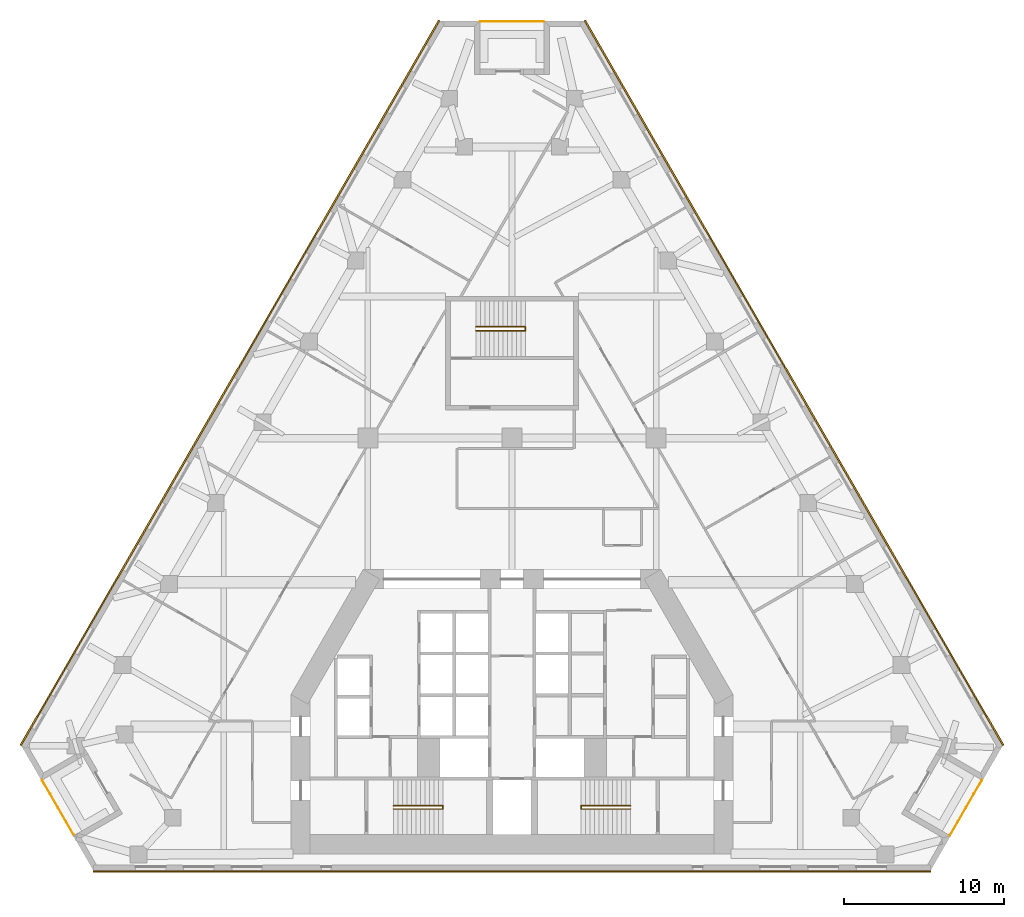
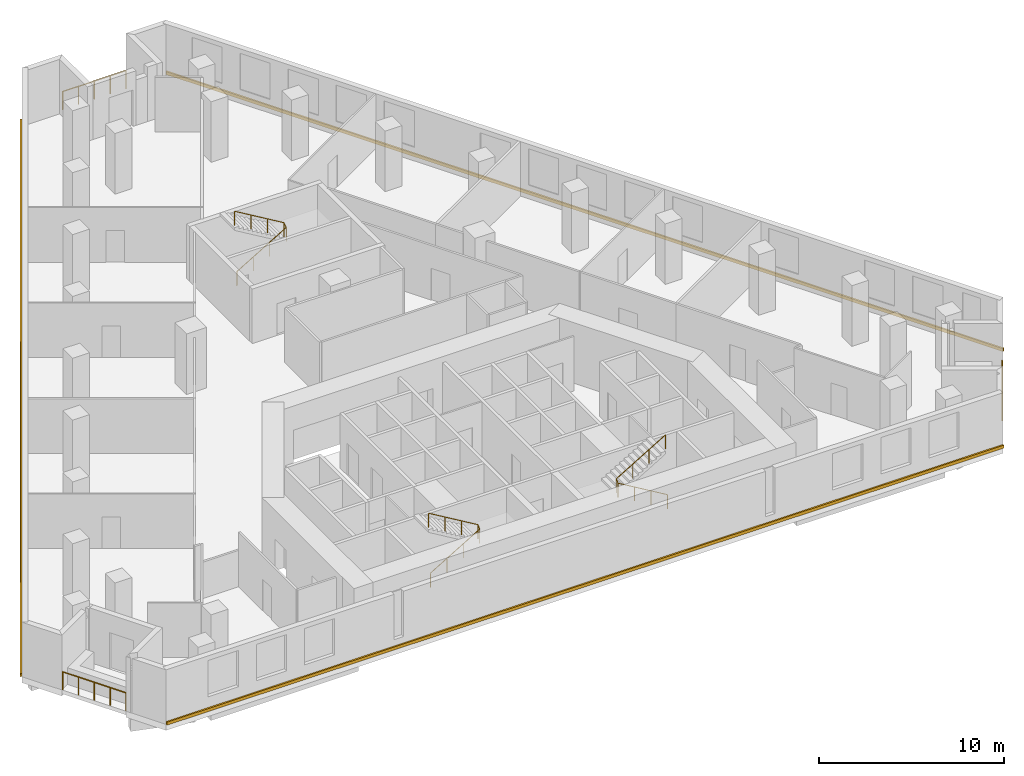
# One storey, part 9 of 9: 6 railings, 3 coverings.
"""IFC4 building model written with IfcOpenShell, lengths in metres."""

from ifc_helpers import new_model, si_unit, direction, frame, origin, origin_2d, place, context, subcontext, project, spatial, polyline, circle, outline, extrude, material, type_object, element, save


model = new_model("IFC4")

# Units and contexts
model_context = context("Model", 3, precision=1e-05, world=origin(), true_north=direction((0.0, 1.0)))
body_context = subcontext(model_context, "Body", "Model", "MODEL_VIEW")
ifc_project = project(units=[si_unit("LENGTHUNIT", "METRE"), si_unit("AREAUNIT", "SQUARE_METRE"), si_unit("VOLUMEUNIT", "CUBIC_METRE"), si_unit("PLANEANGLEUNIT", "RADIAN"), si_unit("MASSUNIT", "GRAM", prefix="KILO")], contexts=[model_context])

# Site, building, storey
site_placement = place(None, origin())
site = spatial("IfcSite", under=ifc_project, at=site_placement, CompositionType="ELEMENT")
building_placement = place(site_placement, origin())
building = spatial("IfcBuilding", under=site, at=building_placement, Name="Fogline Exchange Tower", CompositionType="ELEMENT")
storey_placement = place(building_placement, frame((0.0, 0.0, 96.10009765625)))
storey = spatial("IfcBuildingStorey", under=building, at=storey_placement, Name="L20", CompositionType="ELEMENT", Elevation=96.10009765625)

# Railings
ifc_material_1 = material(Name="Stainless steel 304", Category="steel")
railing_type_1 = type_object("IfcRailingType", Name="G1", PredefinedType="GUARDRAIL", material=ifc_material_1)
railing_1_placement = place(storey_placement, frame((-29.334228515625, 5.635986328125, 0.0)))
element("IfcRailing", 1, at=railing_1_placement, inside=storey, type_object=railing_type_1, Name="Balcony guard L20 SW", PredefinedType="GUARDRAIL", context=body_context, shape_type="SweptSolid", body=[
    extrude(circle(Radius=0.02392578125, at=origin_2d()), frame((0.0, 0.0, 1.17578125), z_axis=(0.500000102728, -0.866025344474, 0.0), x_axis=(0.866025344474, 0.500000102728, 0.0)), (0.0, 0.0, 1.0), 3.9580078125),
    extrude(circle(Radius=0.02099609375, at=origin_2d()), origin(), (0.0, 0.0, 1.0), 1.15185546875),
    extrude(circle(Radius=0.02099609375, at=origin_2d()), frame((0.49462890625, -0.85693359375, 0.0)), (0.0, 0.0, 1.0), 1.15185546875),
    extrude(circle(Radius=0.02099609375, at=origin_2d()), frame((0.989501953125, -1.7138671875, 0.0)), (0.0, 0.0, 1.0), 1.15185546875),
    extrude(circle(Radius=0.02099609375, at=origin_2d()), frame((1.484375, -2.57080078125, 0.0)), (0.0, 0.0, 1.0), 1.15185546875),
    extrude(circle(Radius=0.02099609375, at=origin_2d()), frame((1.97900390625, -3.427734375, 0.0)), (0.0, 0.0, 1.0), 1.15185546875),
])
railing_2_placement = place(storey_placement, frame((27.355224609375, 2.208251953125, 0.0)))
element("IfcRailing", 2, at=railing_2_placement, inside=storey, type_object=railing_type_1, Name="Balcony guard L20 SE", PredefinedType="GUARDRAIL", context=body_context, shape_type="SweptSolid", body=[
    extrude(circle(Radius=0.02392578125, at=origin_2d()), frame((0.0, 0.0, 1.17578125), z_axis=(0.500000102728, 0.866025344474, 0.0), x_axis=(-0.866025344474, 0.500000102728, 0.0)), (0.0, 0.0, 1.0), 3.9580078125),
    extrude(circle(Radius=0.02099609375, at=origin_2d()), origin(), (0.0, 0.0, 1.0), 1.15185546875),
    extrude(circle(Radius=0.02099609375, at=origin_2d()), frame((0.49462890625, 0.85693359375, 0.0)), (0.0, 0.0, 1.0), 1.15185546875),
    extrude(circle(Radius=0.02099609375, at=origin_2d()), frame((0.989501953125, 1.7138671875, 0.0)), (0.0, 0.0, 1.0), 1.15185546875),
    extrude(circle(Radius=0.02099609375, at=origin_2d()), frame((1.484375, 2.57080078125, 0.0)), (0.0, 0.0, 1.0), 1.15185546875),
    extrude(circle(Radius=0.02099609375, at=origin_2d()), frame((1.97900390625, 3.427734375, 0.0)), (0.0, 0.0, 1.0), 1.15185546875),
])
railing_3_placement = place(storey_placement, frame((1.97900390625, 53.0166015625, 0.0)))
element("IfcRailing", 3, at=railing_3_placement, inside=storey, type_object=railing_type_1, Name="Balcony guard L20 N", PredefinedType="GUARDRAIL", context=body_context, shape_type="SweptSolid", body=[
    extrude(circle(Radius=0.02392578125, at=origin_2d()), frame((0.0, 0.0, 1.17578125), z_axis=(-1.0, 0.0, 0.0), x_axis=(0.0, -1.0, 0.0)), (0.0, 0.0, 1.0), 3.9580078125),
    extrude(circle(Radius=0.02099609375, at=origin_2d()), origin(), (0.0, 0.0, 1.0), 1.15185546875),
    extrude(circle(Radius=0.02099609375, at=origin_2d()), frame((-0.989501953125, 0.0, 0.0)), (0.0, 0.0, 1.0), 1.15185546875),
    extrude(circle(Radius=0.02099609375, at=origin_2d()), frame((-1.97900390625, 0.0, 0.0)), (0.0, 0.0, 1.0), 1.15185546875),
    extrude(circle(Radius=0.02099609375, at=origin_2d()), frame((-2.968505859375, 0.0, 0.0)), (0.0, 0.0, 1.0), 1.15185546875),
    extrude(circle(Radius=0.02099609375, at=origin_2d()), frame((-3.9580078125, 0.0, 0.0)), (0.0, 0.0, 1.0), 1.15185546875),
])
ifc_material_2 = material(Name="Steel Q235B", Category="steel")
railing_type_2 = type_object("IfcRailingType", Name="RL-HR", PredefinedType="HANDRAIL", material=ifc_material_2)
railing_4_placement = place(storey_placement, frame((-7.39990234375, 3.85009765625, 0.16650390625)))
element("IfcRailing", 4, at=railing_4_placement, inside=storey, type_object=railing_type_2, Name="Handrail ST1", PredefinedType="HANDRAIL", context=body_context, shape_type="SweptSolid", body=[
    extrude(circle(Radius=0.02392578125, at=origin_2d()), frame((0.0, 0.0, 0.92578125), z_axis=(0.859260807169, 0.0, 0.511537745687), x_axis=(0.0, 1.0, 0.0)), (0.0, 0.0, 1.0), 3.584228515625),
    extrude(circle(Radius=0.02392578125, at=origin_2d()), frame((3.079833984375, 0.0, 2.75927734375), z_axis=(0.0, 0.768451954486, 0.639907488351), x_axis=(-1.0, 0.0, 0.0)), (0.0, 0.0, 1.0), 0.26025390625),
    extrude(circle(Radius=0.02392578125, at=origin_2d()), frame((3.079833984375, 0.199951171875, 2.92578125), z_axis=(-0.859260807169, 0.0, 0.511537745687), x_axis=(0.0, -1.0, 0.0)), (0.0, 0.0, 1.0), 3.584228515625),
    extrude(circle(Radius=0.02099609375, at=origin_2d()), origin(), (0.0, 0.0, 1.0), 0.90185546875),
    extrude(circle(Radius=0.02099609375, at=origin_2d()), frame((1.026611328125, 0.0, 0.611083984375)), (0.0, 0.0, 1.0), 0.90185546875),
    extrude(circle(Radius=0.02099609375, at=origin_2d()), frame((2.05322265625, 0.0, 1.222412109375)), (0.0, 0.0, 1.0), 0.90185546875),
    extrude(circle(Radius=0.02099609375, at=origin_2d()), frame((3.079833984375, 0.0, 1.83349609375)), (0.0, 0.0, 1.0), 0.90185546875),
    extrude(circle(Radius=0.02099609375, at=origin_2d()), frame((3.079833984375, 0.199951171875, 2.0)), (0.0, 0.0, 1.0), 0.90185546875),
    extrude(circle(Radius=0.02099609375, at=origin_2d()), frame((2.05322265625, 0.199951171875, 2.611083984375)), (0.0, 0.0, 1.0), 0.90185546875),
    extrude(circle(Radius=0.02099609375, at=origin_2d()), frame((1.026611328125, 0.199951171875, 3.222412109375)), (0.0, 0.0, 1.0), 0.90185546875),
    extrude(circle(Radius=0.02099609375, at=origin_2d()), frame((0.0, 0.199951171875, 3.83349609375)), (0.0, 0.0, 1.0), 0.90185546875),
])
railing_5_placement = place(storey_placement, frame((7.39990234375, 3.85009765625, 0.16650390625)))
element("IfcRailing", 5, at=railing_5_placement, inside=storey, type_object=railing_type_2, Name="Handrail ST2", PredefinedType="HANDRAIL", context=body_context, shape_type="SweptSolid", body=[
    extrude(circle(Radius=0.02392578125, at=origin_2d()), frame((0.0, 0.0, 0.92578125), z_axis=(-0.859260807169, 0.0, 0.511537745687), x_axis=(0.0, -1.0, 0.0)), (0.0, 0.0, 1.0), 3.584228515625),
    extrude(circle(Radius=0.02392578125, at=origin_2d()), frame((-3.079833984375, 0.0, 2.75927734375), z_axis=(0.0, 0.768451954486, 0.639907488351), x_axis=(-1.0, 0.0, 0.0)), (0.0, 0.0, 1.0), 0.26025390625),
    extrude(circle(Radius=0.02392578125, at=origin_2d()), frame((-3.079833984375, 0.199951171875, 2.92578125), z_axis=(0.859260807169, 0.0, 0.511537745687), x_axis=(0.0, 1.0, 0.0)), (0.0, 0.0, 1.0), 3.584228515625),
    extrude(circle(Radius=0.02099609375, at=origin_2d()), origin(), (0.0, 0.0, 1.0), 0.90185546875),
    extrude(circle(Radius=0.02099609375, at=origin_2d()), frame((-1.026611328125, 0.0, 0.611083984375)), (0.0, 0.0, 1.0), 0.90185546875),
    extrude(circle(Radius=0.02099609375, at=origin_2d()), frame((-2.05322265625, 0.0, 1.222412109375)), (0.0, 0.0, 1.0), 0.90185546875),
    extrude(circle(Radius=0.02099609375, at=origin_2d()), frame((-3.079833984375, 0.0, 1.83349609375)), (0.0, 0.0, 1.0), 0.90185546875),
    extrude(circle(Radius=0.02099609375, at=origin_2d()), frame((-3.079833984375, 0.199951171875, 2.0)), (0.0, 0.0, 1.0), 0.90185546875),
    extrude(circle(Radius=0.02099609375, at=origin_2d()), frame((-2.05322265625, 0.199951171875, 2.611083984375)), (0.0, 0.0, 1.0), 0.90185546875),
    extrude(circle(Radius=0.02099609375, at=origin_2d()), frame((-1.026611328125, 0.199951171875, 3.222412109375)), (0.0, 0.0, 1.0), 0.90185546875),
    extrude(circle(Radius=0.02099609375, at=origin_2d()), frame((0.0, 0.199951171875, 3.83349609375)), (0.0, 0.0, 1.0), 0.90185546875),
])
railing_6_placement = place(storey_placement, frame((-2.25, 33.70703125, 0.16650390625)))
element("IfcRailing", 6, at=railing_6_placement, inside=storey, type_object=railing_type_2, Name="Handrail ST3", PredefinedType="HANDRAIL", context=body_context, shape_type="SweptSolid", body=[
    extrude(circle(Radius=0.02392578125, at=origin_2d()), frame((0.0, 0.0, 0.92578125), z_axis=(0.85927862911, 0.0, 0.511507807912), x_axis=(0.0, 1.0, 0.0)), (0.0, 0.0, 1.0), 3.58447265625),
    extrude(circle(Radius=0.02392578125, at=origin_2d()), frame((3.080078125, 0.0, 2.75927734375), z_axis=(0.0, 0.832300300006, 0.554325004496), x_axis=(-1.0, 0.0, 0.0)), (0.0, 0.0, 1.0), 0.30029296875),
    extrude(circle(Radius=0.02392578125, at=origin_2d()), frame((3.080078125, 0.25, 2.92578125), z_axis=(-0.85927862911, 0.0, 0.511507807912), x_axis=(0.0, -1.0, 0.0)), (0.0, 0.0, 1.0), 3.58447265625),
    extrude(circle(Radius=0.02099609375, at=origin_2d()), origin(), (0.0, 0.0, 1.0), 0.90185546875),
    extrude(circle(Radius=0.02099609375, at=origin_2d()), frame((1.026611328125, 0.0, 0.611083984375)), (0.0, 0.0, 1.0), 0.90185546875),
    extrude(circle(Radius=0.02099609375, at=origin_2d()), frame((2.053466796875, 0.0, 1.222412109375)), (0.0, 0.0, 1.0), 0.90185546875),
    extrude(circle(Radius=0.02099609375, at=origin_2d()), frame((3.080078125, 0.0, 1.83349609375)), (0.0, 0.0, 1.0), 0.90185546875),
    extrude(circle(Radius=0.02099609375, at=origin_2d()), frame((3.080078125, 0.25, 2.0)), (0.0, 0.0, 1.0), 0.90185546875),
    extrude(circle(Radius=0.02099609375, at=origin_2d()), frame((2.053466796875, 0.25, 2.611083984375)), (0.0, 0.0, 1.0), 0.90185546875),
    extrude(circle(Radius=0.02099609375, at=origin_2d()), frame((1.026611328125, 0.25, 3.222412109375)), (0.0, 0.0, 1.0), 0.90185546875),
    extrude(circle(Radius=0.02099609375, at=origin_2d()), frame((0.0, 0.25, 3.83349609375)), (0.0, 0.0, 1.0), 0.90185546875),
])

# Coverings
ifc_material_3 = material(Name="Brick masonry", Category="masonry")
covering_type = type_object("IfcCoveringType", Name="SB1", PredefinedType="CLADDING", material=ifc_material_3)
covering_1_placement = place(storey_placement, origin())
element("IfcCovering", 7, at=covering_1_placement, inside=storey, type_object=covering_type, Name="Stringcourse band L20 S", PredefinedType="CLADDING", context=body_context, shape_type="SweptSolid", body=[
    extrude(outline(polyline([(-26.137939453125, 0.0), (-26.137939453125, -0.10009765625), (26.137939453125, -0.10009765625), (26.137939453125, 0.0), (-26.137939453125, 0.0)])), origin(), (0.0, 0.0, 1.0), 0.199951171875),
])
covering_2_placement = place(storey_placement, origin())
element("IfcCovering", 8, at=covering_2_placement, inside=storey, type_object=covering_type, Name="Stringcourse band L20 E", PredefinedType="CLADDING", context=body_context, shape_type="SweptSolid", body=[
    extrude(outline(polyline([(30.637939453125, 7.794189453125), (30.724609375, 7.84423828125), (4.586669921875, 53.11669921875), (4.5, 53.066650390625), (30.637939453125, 7.794189453125)])), origin(), (0.0, 0.0, 1.0), 0.199951171875),
])
covering_3_placement = place(storey_placement, origin())
element("IfcCovering", 9, at=covering_3_placement, inside=storey, type_object=covering_type, Name="Stringcourse band L20 W", PredefinedType="CLADDING", context=body_context, shape_type="SweptSolid", body=[
    extrude(outline(polyline([(-4.5, 53.066650390625), (-4.586669921875, 53.11669921875), (-30.724609375, 7.84423828125), (-30.637939453125, 7.794189453125), (-4.5, 53.066650390625)])), origin(), (0.0, 0.0, 1.0), 0.199951171875),
])

save(model, "model.ifc")
